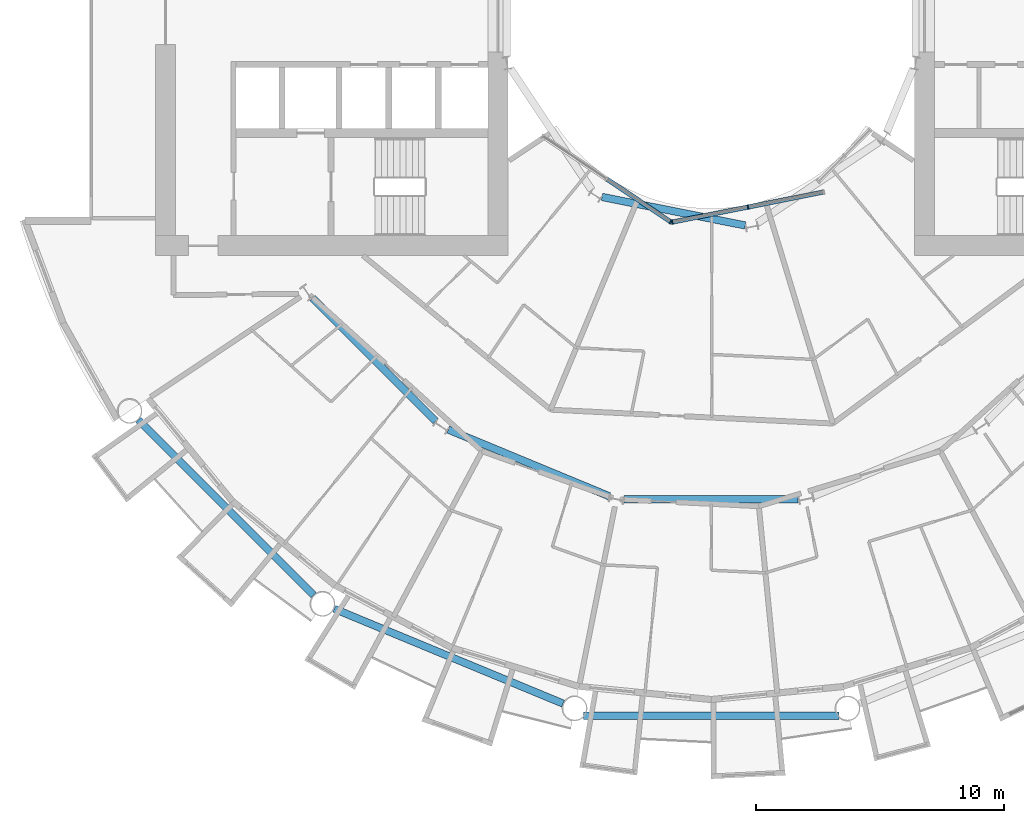
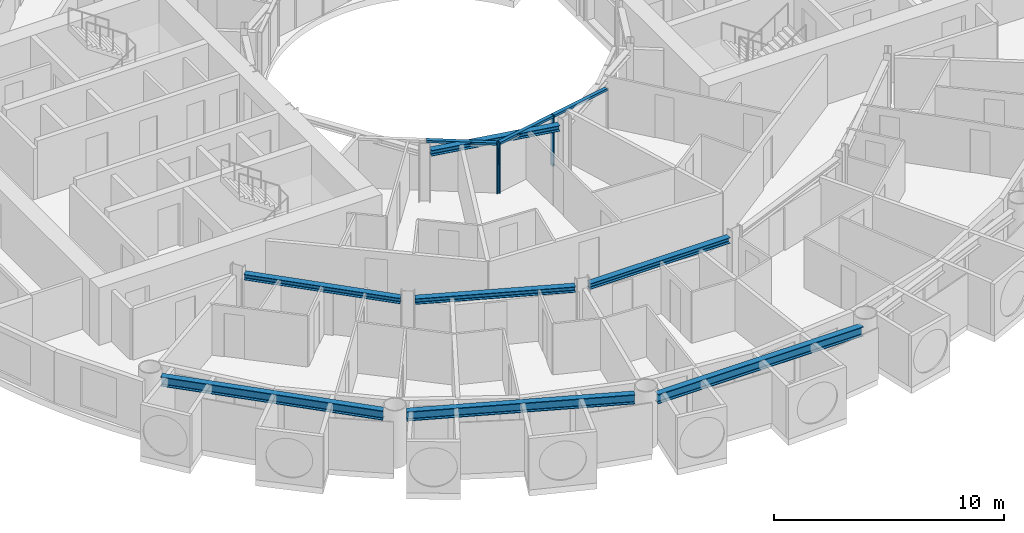
# One storey, part 4 of 25: 7 beams, 6 members, 2 elements without a shape of their own.
"""IFC4 building model written with IfcOpenShell, lengths in metres."""

from ifc_helpers import new_model, si_unit, direction, frame, origin, origin_2d, place, context, subcontext, project, spatial, rectangle, i_section, extrude, material, layer, layer_set, material_profile, profile_set, type_object, element, aggregate, save


model = new_model("IFC4")

# Units and contexts
model_context = context("Model", 3, precision=1e-05, world=origin(), true_north=direction((0.0, 1.0)))
body_context = subcontext(model_context, "Body", "Model", "MODEL_VIEW")
ifc_project = project(units=[si_unit("LENGTHUNIT", "METRE"), si_unit("AREAUNIT", "SQUARE_METRE"), si_unit("VOLUMEUNIT", "CUBIC_METRE"), si_unit("PLANEANGLEUNIT", "RADIAN"), si_unit("MASSUNIT", "GRAM", prefix="KILO")], contexts=[model_context])

# Site, building, storey
site_placement = place(None, origin())
site = spatial("IfcSite", under=ifc_project, at=site_placement, CompositionType="ELEMENT")
building_placement = place(site_placement, origin())
building = spatial("IfcBuilding", under=site, at=building_placement, Name="Maasbend Ring Residences", CompositionType="ELEMENT")
storey_placement = place(building_placement, frame((0.0, 0.0, 41.10009765625)))
storey = spatial("IfcBuildingStorey", under=building, at=storey_placement, Name="L11", CompositionType="ELEMENT", Elevation=41.10009765625)

# Curtain wall, member
ifc_material_1 = material(Name="Aluminium and clear glass", Category="aluminium")
ifc_layer = layer(ifc_material_1, 0.179931640625)
ifc_layer_set = layer_set([ifc_layer], Name="CW-W")
curtain_wall_type = type_object("IfcCurtainWallType", Name="CW-W", PredefinedType="NOTDEFINED", material=ifc_layer_set)
curtain_wall_1_placement = place(storey_placement, origin())
curtain_wall_1 = element("IfcCurtainWall", 1, at=curtain_wall_1_placement, inside=storey, type_object=curtain_wall_type, Name="Well curtain wall S1", PredefinedType="NOTDEFINED")
ifc_material_2 = material(Name="Aluminium 6063-T6", Category="aluminium")
ifc_material_profile_1 = material_profile(ifc_material_2, rectangle(XDim=0.179931640625, YDim=0.06005859375, at=origin_2d()), Name="AL 180x60")
ifc_profile_set_1 = profile_set([ifc_material_profile_1], Name="Aluminium 6063-T6")
member_type_1 = type_object("IfcMemberType", Name="CWM-W", PredefinedType="MULLION", material=ifc_profile_set_1)
member_1_placement = place(storey_placement, frame((-1.627685546875, -8.040771484375, 0.0), z_axis=(0.0, 0.0, 1.0), x_axis=(0.55557023302, 0.831469612303, 0.0)))
member_1 = element("IfcMember", 2, at=member_1_placement, type_object=member_type_1, Name="Mullion well face", PredefinedType="MULLION", context=body_context, shape_type="SweptSolid", body=[
    extrude(rectangle(XDim=0.179931640625, YDim=0.06005859375, at=origin_2d()), origin(), (0.0, 0.0, 1.0), 2.699951171875),
])

# Curtain wall, members
curtain_wall_2_placement = place(storey_placement, origin())
curtain_wall_2 = element("IfcCurtainWall", 3, at=curtain_wall_2_placement, inside=storey, type_object=curtain_wall_type, Name="Well curtain wall S2", PredefinedType="NOTDEFINED")
member_2_placement = place(storey_placement, frame((-1.5732421875, -8.0517578125, 0.0), z_axis=(0.0, 0.0, 1.0), x_axis=(-0.195090322016, 0.980785280403, 0.0)))
member_2 = element("IfcMember", 4, at=member_2_placement, type_object=member_type_1, Name="Mullion well face", PredefinedType="MULLION", context=body_context, shape_type="SweptSolid", body=[
    extrude(rectangle(XDim=0.179931640625, YDim=0.06005859375, at=origin_2d()), origin(), (0.0, 0.0, 1.0), 2.699951171875),
])
member_3_placement = place(storey_placement, frame((1.480712890625, -7.444091796875, 0.0), z_axis=(0.0, 0.0, 1.0), x_axis=(-0.195090322016, 0.980785280403, 0.0)))
member_3 = element("IfcMember", 5, at=member_3_placement, type_object=member_type_1, Name="Mullion well face", PredefinedType="MULLION", context=body_context, shape_type="SweptSolid", body=[
    extrude(rectangle(XDim=0.179931640625, YDim=0.06005859375, at=origin_2d()), origin(), (0.0, 0.0, 1.0), 2.699951171875),
])

# Member
ifc_material_3 = material(Name="Aluminium 6063-T6", Category="aluminium")
ifc_material_profile_2 = material_profile(ifc_material_3, rectangle(XDim=0.179931640625, YDim=0.1201171875, at=origin_2d()), Name="AL 180x120")
ifc_profile_set_2 = profile_set([ifc_material_profile_2], Name="Aluminium 6063-T6")
member_type_2 = type_object("IfcMemberType", Name="CWT-W", PredefinedType="USERDEFINED", material=ifc_profile_set_2)
member_4_placement = place(storey_placement, frame((-4.19189453125, -6.32763671875, 2.639892578125), z_axis=(0.831496422459, -0.555530106689, 0.0), x_axis=(0.555530106689, 0.831496422459, 0.0)))
member_4 = element("IfcMember", 6, at=member_4_placement, type_object=member_type_2, Name="Transom well face", ObjectType="TRANSOM", PredefinedType="USERDEFINED", context=body_context, shape_type="SweptSolid", body=[
    extrude(rectangle(XDim=0.179931640625, YDim=0.1201171875, at=origin_2d()), origin(), (0.0, 0.0, 1.0), 3.053955078125),
])

aggregate(curtain_wall_1, [member_1, member_4])

member_5_placement = place(storey_placement, frame((-1.5439453125, -8.0458984375, 2.639892578125), z_axis=(0.980776956105, 0.195132166424, 0.0), x_axis=(-0.195132166424, 0.980776956105, 0.0)))
member_5 = element("IfcMember", 7, at=member_5_placement, type_object=member_type_2, Name="Transom well face", ObjectType="TRANSOM", PredefinedType="USERDEFINED", context=body_context, shape_type="SweptSolid", body=[
    extrude(rectangle(XDim=0.179931640625, YDim=0.1201171875, at=origin_2d()), origin(), (0.0, 0.0, 1.0), 3.053955078125),
])

member_6_placement = place(storey_placement, frame((1.51025390625, -7.438232421875, 2.639892578125), z_axis=(0.980789210404, 0.19507056353, 0.0), x_axis=(-0.19507056353, 0.980789210404, 0.0)))
member_6 = element("IfcMember", 8, at=member_6_placement, type_object=member_type_2, Name="Transom well face", ObjectType="TRANSOM", PredefinedType="USERDEFINED", context=body_context, shape_type="SweptSolid", body=[
    extrude(rectangle(XDim=0.179931640625, YDim=0.1201171875, at=origin_2d()), origin(), (0.0, 0.0, 1.0), 3.0537109375),
])

aggregate(curtain_wall_2, [member_2, member_3, member_5, member_6])

# Beams
ifc_material_4 = material(Name="Steel S355J2", Category="steel")
ifc_material_profile_3 = material_profile(ifc_material_4, i_section(OverallWidth=0.300048828125, OverallDepth=0.300048828125, WebThickness=0.010986328125, FlangeThickness=0.01904296875, FilletRadius=0.027099609375, at=origin_2d()), Name="HEB 300")
ifc_profile_set_3 = profile_set([ifc_material_profile_3], Name="Steel S355J2")
beam_type_1 = type_object("IfcBeamType", Name="Corridor ring beam HEB 300", PredefinedType="BEAM", material=ifc_profile_set_3)
beam_1_placement = place(storey_placement, frame((-16.0732421875, -11.11279296875, 2.5498046875), z_axis=(0.707106781187, -0.707106781187, 0.0), x_axis=(0.707106781187, 0.707106781187, 0.0)))
element("IfcBeam", 9, at=beam_1_placement, inside=storey, type_object=beam_type_1, Name="Corridor ring beam", PredefinedType="BEAM", context=body_context, shape_type="SweptSolid", body=[
    extrude(i_section(OverallWidth=0.300048828125, OverallDepth=0.300048828125, WebThickness=0.010986328125, FlangeThickness=0.01904296875, FilletRadius=0.027099609375, at=origin_2d()), origin(), (0.0, 0.0, 1.0), 7.01513671875),
])
beam_2_placement = place(storey_placement, frame((-10.59716796875, -16.417724609375, 2.5498046875), z_axis=(0.923886196809, -0.38266734293, 0.0), x_axis=(0.38266734293, 0.923886196809, 0.0)))
element("IfcBeam", 10, at=beam_2_placement, inside=storey, type_object=beam_type_1, Name="Corridor ring beam", PredefinedType="BEAM", context=body_context, shape_type="SweptSolid", body=[
    extrude(i_section(OverallWidth=0.300048828125, OverallDepth=0.300048828125, WebThickness=0.010986328125, FlangeThickness=0.01904296875, FilletRadius=0.027099609375, at=origin_2d()), origin(), (0.0, 0.0, 1.0), 7.015380859375),
])
beam_3_placement = place(storey_placement, frame((-3.5078125, -19.223388671875, 2.5498046875), z_axis=(1.0, 0.0, 0.0), x_axis=(0.0, 1.0, 0.0)))
element("IfcBeam", 11, at=beam_3_placement, inside=storey, type_object=beam_type_1, Name="Corridor ring beam", PredefinedType="BEAM", context=body_context, shape_type="SweptSolid", body=[
    extrude(i_section(OverallWidth=0.300048828125, OverallDepth=0.300048828125, WebThickness=0.010986328125, FlangeThickness=0.01904296875, FilletRadius=0.027099609375, at=origin_2d()), origin(), (0.0, 0.0, 1.0), 7.015625),
])
ifc_material_5 = material(Name="Steel S355J2", Category="steel")
ifc_material_profile_4 = material_profile(ifc_material_5, i_section(OverallWidth=0.300048828125, OverallDepth=0.5, WebThickness=0.014404296875, FlangeThickness=0.028076171875, FilletRadius=0.027099609375, at=origin_2d()), Name="HEB 500")
ifc_profile_set_4 = profile_set([ifc_material_profile_4], Name="Steel S355J2")
beam_type_2 = type_object("IfcBeamType", Name="Spandrel ring beam HEB 500", PredefinedType="SPANDREL", material=ifc_profile_set_4)
beam_4_placement = place(storey_placement, frame((-23.088134765625, -16.0263671875, 2.449951171875), z_axis=(0.707106781187, -0.707106781187, 0.0), x_axis=(0.707106781187, 0.707106781187, 0.0)))
element("IfcBeam", 12, at=beam_4_placement, inside=storey, type_object=beam_type_2, Name="Spandrel ring beam", PredefinedType="SPANDREL", context=body_context, shape_type="SweptSolid", body=[
    extrude(i_section(OverallWidth=0.300048828125, OverallDepth=0.5, WebThickness=0.014404296875, FlangeThickness=0.028076171875, FilletRadius=0.027099609375, at=origin_2d()), origin(), (0.0, 0.0, 1.0), 9.98681640625),
])
beam_5_placement = place(storey_placement, frame((-15.19775390625, -23.641845703125, 2.449951171875), z_axis=(0.923886337442, -0.382667003395, 0.0), x_axis=(0.382667003395, 0.923886337442, 0.0)))
element("IfcBeam", 13, at=beam_5_placement, inside=storey, type_object=beam_type_2, Name="Spandrel ring beam", PredefinedType="SPANDREL", context=body_context, shape_type="SweptSolid", body=[
    extrude(i_section(OverallWidth=0.300048828125, OverallDepth=0.5, WebThickness=0.014404296875, FlangeThickness=0.028076171875, FilletRadius=0.027099609375, at=origin_2d()), origin(), (0.0, 0.0, 1.0), 9.9873046875),
])
beam_6_placement = place(storey_placement, frame((-5.1435546875, -27.9580078125, 2.449951171875), z_axis=(1.0, 0.0, 0.0), x_axis=(0.0, 1.0, 0.0)))
element("IfcBeam", 14, at=beam_6_placement, inside=storey, type_object=beam_type_2, Name="Spandrel ring beam", PredefinedType="SPANDREL", context=body_context, shape_type="SweptSolid", body=[
    extrude(i_section(OverallWidth=0.300048828125, OverallDepth=0.5, WebThickness=0.014404296875, FlangeThickness=0.028076171875, FilletRadius=0.027099609375, at=origin_2d()), origin(), (0.0, 0.0, 1.0), 10.287109375),
])
ifc_material_6 = material(Name="Steel S355J2", Category="steel")
ifc_material_profile_5 = material_profile(ifc_material_6, i_section(OverallWidth=0.300048828125, OverallDepth=0.300048828125, WebThickness=0.010986328125, FlangeThickness=0.01904296875, FilletRadius=0.027099609375, at=origin_2d()), Name="HEB 300")
ifc_profile_set_5 = profile_set([ifc_material_profile_5], Name="Steel S355J2")
beam_type_3 = type_object("IfcBeamType", Name="Well edge beam HEB 300", PredefinedType="BEAM", material=ifc_profile_set_5)
beam_7_placement = place(storey_placement, frame((-4.4013671875, -7.037109375, 2.5498046875), z_axis=(0.980784282486, -0.195095338819, 0.0), x_axis=(0.195095338819, 0.980784282486, 0.0)))
element("IfcBeam", 15, at=beam_7_placement, inside=storey, type_object=beam_type_3, Name="Well edge beam", PredefinedType="BEAM", context=body_context, shape_type="SweptSolid", body=[
    extrude(i_section(OverallWidth=0.300048828125, OverallDepth=0.300048828125, WebThickness=0.010986328125, FlangeThickness=0.01904296875, FilletRadius=0.027099609375, at=origin_2d()), origin(), (0.0, 0.0, 1.0), 5.8876953125),
])

save(model, "model.ifc")
